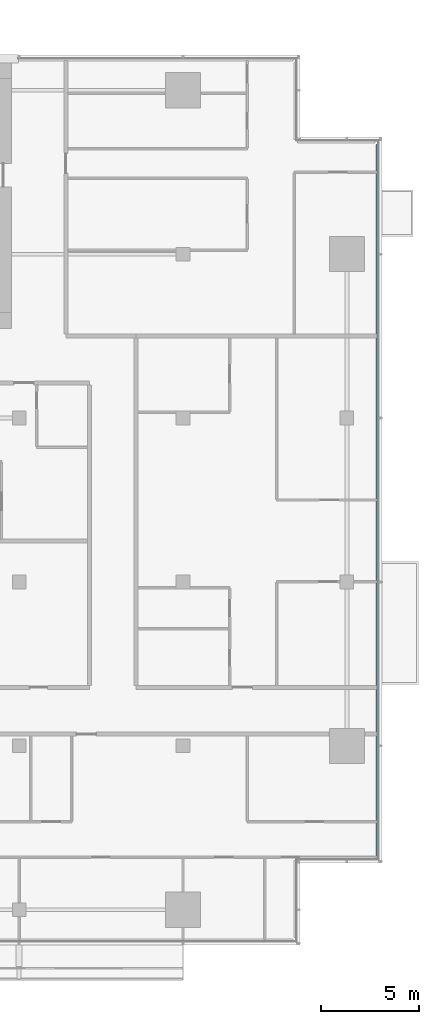
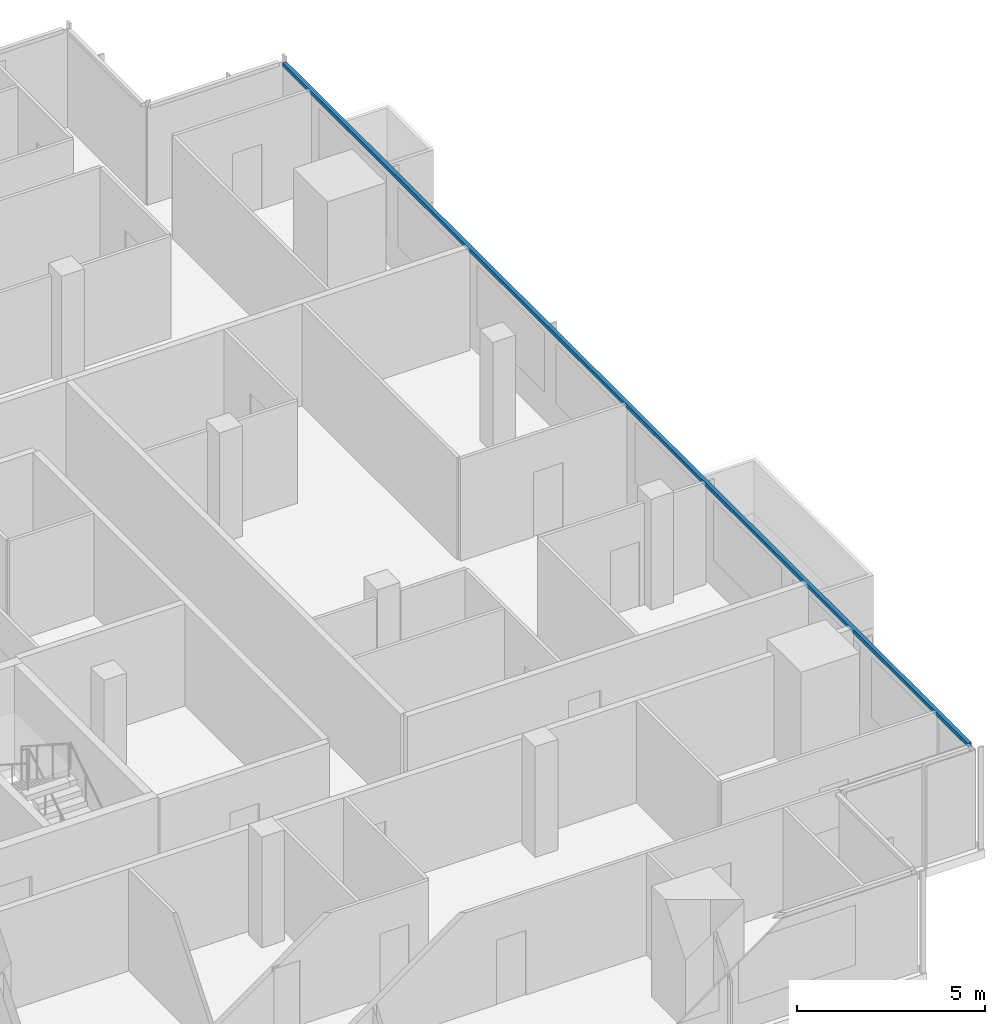
# One storey, part 12 of 28: 1 member, 1 element without a shape of its own.
"""IFC4 building model written with IfcOpenShell, lengths in metres."""

from ifc_helpers import new_model, si_unit, direction, frame, origin, origin_2d, place, context, subcontext, project, spatial, rectangle, extrude, material, material_profile, profile_set, type_object, element, aggregate, save


model = new_model("IFC4")

# Units and contexts
model_context = context("Model", 3, precision=1e-05, world=origin(), true_north=direction((0.0, 1.0)))
body_context = subcontext(model_context, "Body", "Model", "MODEL_VIEW")
ifc_project = project(units=[si_unit("LENGTHUNIT", "METRE"), si_unit("AREAUNIT", "SQUARE_METRE"), si_unit("VOLUMEUNIT", "CUBIC_METRE"), si_unit("PLANEANGLEUNIT", "RADIAN"), si_unit("MASSUNIT", "GRAM", prefix="KILO")], contexts=[model_context])

# Site, building, storey
site_placement = place(None, origin())
site = spatial("IfcSite", under=ifc_project, at=site_placement, CompositionType="ELEMENT")
building_placement = place(site_placement, origin())
building = spatial("IfcBuilding", under=site, at=building_placement, Name="Saffron Gate Tower", CompositionType="ELEMENT")
storey_placement = place(building_placement, frame((0.0, 0.0, 176.25)))
storey = spatial("IfcBuildingStorey", under=building, at=storey_placement, Name="L43", CompositionType="ELEMENT", Elevation=176.25)

# Curtain wall, member
ifc_material = material(Name="Aluminium, bronze anodised", Category="aluminium")
curtain_wall_type = type_object("IfcCurtainWallType", Name="CWS2 curtain wall side facades", PredefinedType="NOTDEFINED", material=ifc_material)
curtain_wall_placement = place(storey_placement, origin())
curtain_wall = element("IfcCurtainWall", 1, at=curtain_wall_placement, inside=storey, type_object=curtain_wall_type, Name="CWS2 run 4", PredefinedType="NOTDEFINED")
ifc_material_profile = material_profile(ifc_material, rectangle(XDim=0.1201171875, YDim=0.1201171875, at=origin_2d()))
ifc_profile_set = profile_set([ifc_material_profile], Name="Aluminium, bronze anodised")
member_type = type_object("IfcMemberType", Name="CWS2 head transom", PredefinedType="USERDEFINED", material=ifc_profile_set)
member_placement = place(storey_placement, frame((126.951904296875, 34.568115234375, 3.260009765625), z_axis=(0.0, 1.0, 0.0), x_axis=(-1.0, 0.0, 0.0)))
member = element("IfcMember", 2, at=member_placement, type_object=member_type, Name="CWS2 head transom", ObjectType="TRANSOM", PredefinedType="USERDEFINED", context=body_context, shape_type="SweptSolid", body=[
    extrude(rectangle(XDim=0.1201171875, YDim=0.1201171875, at=origin_2d()), origin(), (0.0, 0.0, 1.0), 36.4638671875),
])
aggregate(curtain_wall, [member])

save(model, "model.ifc")
